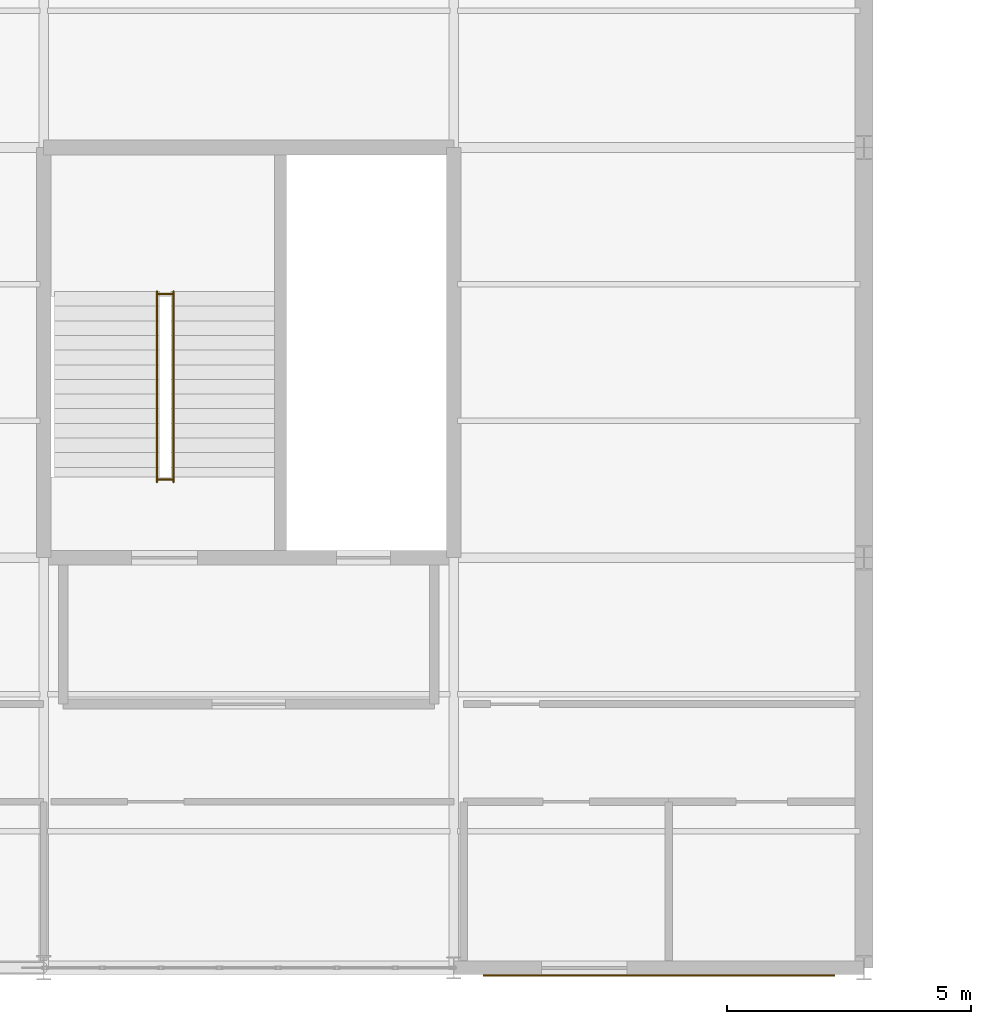
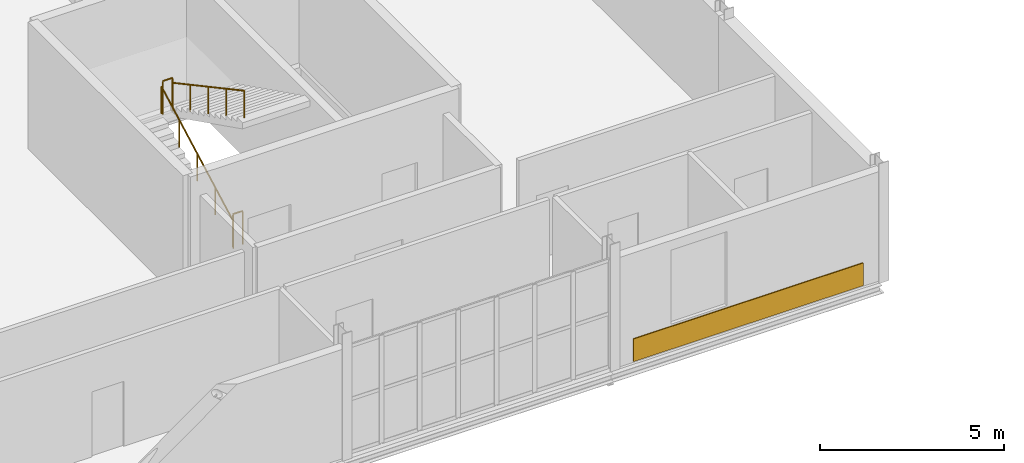
# One storey, part 62 of 65: 4 railings, 1 covering.
"""IFC4 building model written with IfcOpenShell, lengths in metres."""

from ifc_helpers import new_model, si_unit, direction, frame, origin, origin_2d, place, context, subcontext, project, spatial, rectangle, circle, extrude, material, layer, layer_set, type_object, element, save


model = new_model("IFC4")

# Units and contexts
model_context = context("Model", 3, precision=1e-05, world=origin(), true_north=direction((0.0, 1.0)))
body_context = subcontext(model_context, "Body", "Model", "MODEL_VIEW")
ifc_project = project(units=[si_unit("LENGTHUNIT", "METRE"), si_unit("AREAUNIT", "SQUARE_METRE"), si_unit("VOLUMEUNIT", "CUBIC_METRE"), si_unit("PLANEANGLEUNIT", "RADIAN"), si_unit("MASSUNIT", "GRAM", prefix="KILO")], contexts=[model_context])

# Site, building, storey
site_placement = place(None, origin())
site = spatial("IfcSite", under=ifc_project, at=site_placement, CompositionType="ELEMENT")
building_placement = place(site_placement, origin())
building = spatial("IfcBuilding", under=site, at=building_placement, Name="Qalvenar Corner Mobility Hub", CompositionType="ELEMENT")
storey_placement = place(building_placement, frame((0.0, 0.0, 17.39990234375)))
storey = spatial("IfcBuildingStorey", under=building, at=storey_placement, Name="L04", CompositionType="ELEMENT", Elevation=17.39990234375)

# Covering
ifc_material_1 = material(Name="Kashikari Glazed Turquoise Faience Tile Cladding", Category="masonry")
ifc_layer = layer(ifc_material_1, 0.034912109375)
ifc_layer_set = layer_set([ifc_layer], Name="Kashikari Glazed Turquoise Faience Tile Cladding")
covering_type = type_object("IfcCoveringType", Name="COV-CLAD-FAI", PredefinedType="CLADDING", material=ifc_layer_set)
covering_placement = place(storey_placement, frame((46.199951171875, -0.155029296875, 0.045166015625), z_axis=(0.0, 0.0, 1.0), x_axis=(1.0, 0.0, 0.0)))
element("IfcCovering", 1, at=covering_placement, inside=storey, type_object=covering_type, Name="Kashikari Faience Spandrel V3-L04-S5", PredefinedType="CLADDING", context=body_context, shape_type="SweptSolid", body=[
    extrude(rectangle(XDim=7.199951171875, YDim=0.034912109375, at=origin_2d()), origin(), (0.0, 0.0, 1.0), 0.75),
])

# Railings
ifc_material_2 = material(Name="Art Nouveau Bronze-Finished Steel Balustrade", Category="steel")
railing_type_1 = type_object("IfcRailingType", Name="RL-GUARD-110", PredefinedType="GUARDRAIL", material=ifc_material_2)
for number, where, name in (
    (2, (35.93994140625, 10.0, 0.0), "Stair Arrival Slot Guard C2-L04"),
    (3, (35.93994140625, 13.800048828125, 2.10009765625), "Stair Half-Landing Well Guard ST2-L04"),
):
    element("IfcRailing", number, at=place(storey_placement, frame(where)), inside=storey, type_object=railing_type_1, Name=name, PredefinedType="GUARDRAIL", context=body_context, shape_type="SweptSolid", body=[
        extrude(circle(Radius=0.02392578125, at=origin_2d()), frame((0.0, 0.0, 1.09619140625), z_axis=(1.0, 0.0, 0.0), x_axis=(0.0, 1.0, 0.0)), (0.0, 0.0, 1.0), 0.300048828125),
        extrude(circle(Radius=0.02099609375, at=origin_2d()), origin(), (0.0, 0.0, 1.0), 1.072021484375),
        extrude(circle(Radius=0.02099609375, at=origin_2d()), frame((0.300048828125, 0.0, 0.0)), (0.0, 0.0, 1.0), 1.072021484375),
    ])
ifc_material_3 = material(Name="Brushed Stainless Steel Handrail", Category="steel")
railing_type_2 = type_object("IfcRailingType", Name="RL-HAND-092", PredefinedType="HANDRAIL", material=ifc_material_3)
railing_1_placement = place(storey_placement, frame((35.919921875, 9.949951171875, 0.0)))
element("IfcRailing", 4, at=railing_1_placement, inside=storey, type_object=railing_type_2, Name="Stair Handrail ST2-L04-1", PredefinedType="HANDRAIL", context=body_context, shape_type="SweptSolid", body=[
    extrude(circle(Radius=0.02392578125, at=origin_2d()), frame((0.0, 0.0, 0.89599609375), z_axis=(0.0, 0.880469330154, 0.474103109733), x_axis=(-1.0, 0.0, 0.0)), (0.0, 0.0, 1.0), 4.4296875),
    extrude(circle(Radius=0.02099609375, at=origin_2d()), origin(), (0.0, 0.0, 1.0), 0.871826171875),
    extrude(circle(Radius=0.02099609375, at=origin_2d()), frame((0.0, 0.97509765625, 0.52490234375)), (0.0, 0.0, 1.0), 0.871826171875),
    extrude(circle(Radius=0.02099609375, at=origin_2d()), frame((0.0, 1.9501953125, 1.050048828125)), (0.0, 0.0, 1.0), 0.871826171875),
    extrude(circle(Radius=0.02099609375, at=origin_2d()), frame((0.0, 2.925048828125, 1.5751953125)), (0.0, 0.0, 1.0), 0.871826171875),
    extrude(circle(Radius=0.02099609375, at=origin_2d()), frame((0.0, 3.900146484375, 2.10009765625)), (0.0, 0.0, 1.0), 0.871826171875),
])
railing_2_placement = place(storey_placement, frame((36.260009765625, 13.85009765625, 2.10009765625)))
element("IfcRailing", 5, at=railing_2_placement, inside=storey, type_object=railing_type_2, Name="Stair Handrail ST2-L04-2", PredefinedType="HANDRAIL", context=body_context, shape_type="SweptSolid", body=[
    extrude(circle(Radius=0.02392578125, at=origin_2d()), frame((0.0, 0.0, 0.89599609375), z_axis=(0.0, -0.880469330154, 0.474103109733), x_axis=(1.0, 0.0, 0.0)), (0.0, 0.0, 1.0), 4.4296875),
    extrude(circle(Radius=0.02099609375, at=origin_2d()), origin(), (0.0, 0.0, 1.0), 0.871826171875),
    extrude(circle(Radius=0.02099609375, at=origin_2d()), frame((0.0, -0.97509765625, 0.52490234375)), (0.0, 0.0, 1.0), 0.871826171875),
    extrude(circle(Radius=0.02099609375, at=origin_2d()), frame((0.0, -1.9501953125, 1.050048828125)), (0.0, 0.0, 1.0), 0.871826171875),
    extrude(circle(Radius=0.02099609375, at=origin_2d()), frame((0.0, -2.925048828125, 1.5751953125)), (0.0, 0.0, 1.0), 0.871826171875),
    extrude(circle(Radius=0.02099609375, at=origin_2d()), frame((0.0, -3.900146484375, 2.10009765625)), (0.0, 0.0, 1.0), 0.871826171875),
])

save(model, "model.ifc")
